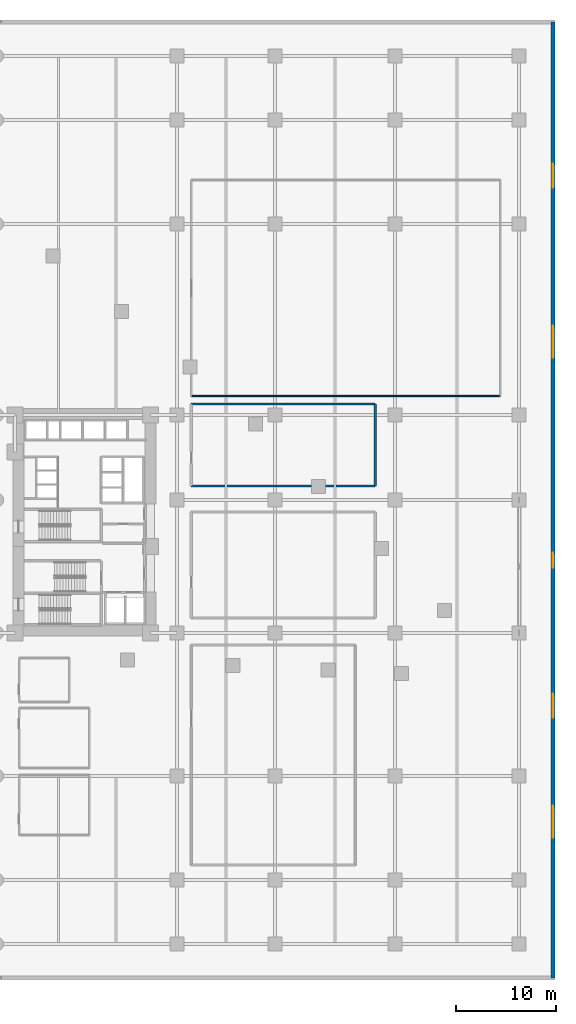
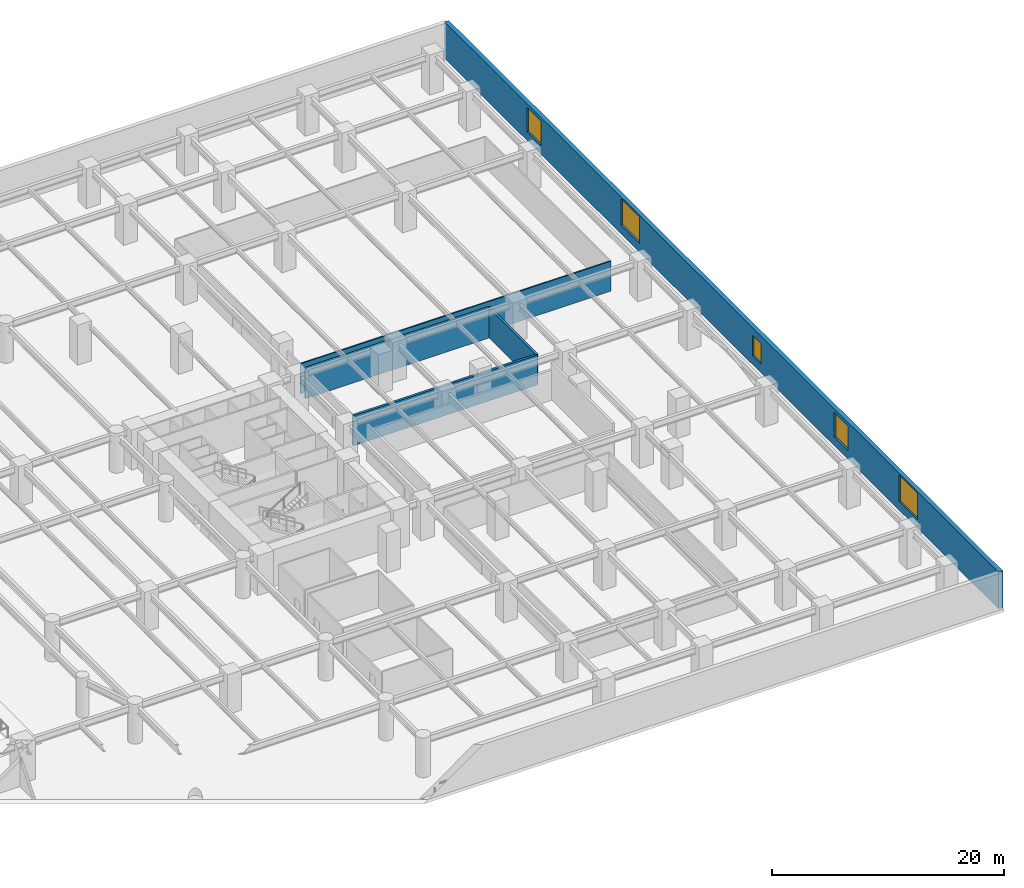
# One storey, part 9 of 22: 5 walls, 5 windows, 5 openings.
"""IFC4 building model written with IfcOpenShell, lengths in metres."""

import ifcopenshell
import ifcopenshell.guid

model = None  # the IFC model being written
_history = None  # IfcOwnerHistory: only IFC2X3 demands one
_inside = {}  # id of a spatial element -> (the spatial element, [elements in it])
_under = {}  # id of a project, library or spatial element -> (it, [spatial elements below it])
_declared = {}  # id of a project -> (the project, [libraries it declares])
_typed = {}  # id of a type object -> (the type object, [elements of that type])
_made_of = {}  # id of a material, layer set ... -> (it, [elements and type objects made of it])


def new_model(schema):
    """Start an empty IFC model of exactly this schema.

    Asked for "IFC4X3", IfcOpenShell would pick the latest addendum, in which some entities
    have other attributes; the version numbers below select the first issue.
    IFC2X3 requires an IfcOwnerHistory on every rooted entity: one is made here for all.
    """
    global model, _history
    if schema == "IFC4X3":
        model = ifcopenshell.file(schema_version=(4, 3, 0, 0))
    else:
        model = ifcopenshell.file(schema=schema)
    _inside.clear()
    _under.clear()
    _declared.clear()
    _typed.clear()
    _made_of.clear()
    _history = None
    if model.schema == "IFC2X3":
        org = make("IfcOrganization", Name="unknown")
        user = make(
            "IfcPersonAndOrganization",
            ThePerson=make("IfcPerson", FamilyName="unknown"),
            TheOrganization=org,
        )
        app = make(
            "IfcApplication",
            ApplicationDeveloper=org,
            Version="unknown",
            ApplicationFullName="unknown",
            ApplicationIdentifier="unknown",
        )
        _history = make(
            "IfcOwnerHistory",
            OwningUser=user,
            OwningApplication=app,
            ChangeAction="ADDED",
            CreationDate=0,
        )
    return model


def make(cls, **values):
    """One entity of the class cls with the attributes given. An attribute that is None is left unset."""
    return model.create_entity(
        cls, **{name: value for name, value in values.items() if value is not None}
    )


def rooted(cls, **values):
    """An entity with a GlobalId (a new one), such as an element, a storey or a relation."""
    return make(cls, GlobalId=ifcopenshell.guid.new(), OwnerHistory=_history, **values)


def si_unit(unit_type, name, prefix=None):
    """IfcSIUnit, for example si_unit("LENGTHUNIT", "METRE", prefix="MILLI")."""
    return make("IfcSIUnit", UnitType=unit_type, Prefix=prefix, Name=name)


def assignment(units):
    """IfcUnitAssignment: the units of a project."""
    return None if units is None else make("IfcUnitAssignment", Units=units)


def point(xyz):
    """IfcCartesianPoint."""
    return None if xyz is None else make("IfcCartesianPoint", Coordinates=xyz)


def direction(xyz):
    """IfcDirection."""
    return None if xyz is None else make("IfcDirection", DirectionRatios=xyz)


def frame(location, z_axis=None, x_axis=None):
    """IfcAxis2Placement3D, a coordinate frame: its origin and axes. An axis left out is left unset."""
    return make(
        "IfcAxis2Placement3D",
        Location=point(location),
        Axis=direction(z_axis),
        RefDirection=direction(x_axis),
    )


def frame_2d(location, x_axis=None):
    """IfcAxis2Placement2D, a coordinate frame in the plane: its origin and x axis."""
    return make(
        "IfcAxis2Placement2D", Location=point(location), RefDirection=direction(x_axis)
    )


def origin():
    """The frame at (0, 0, 0) with its axes left unset."""
    return frame((0.0, 0.0, 0.0))


def place(relative_to, where):
    """IfcLocalPlacement: puts the frame where relative to a parent placement (None: the world)."""
    return make(
        "IfcLocalPlacement", PlacementRelTo=relative_to, RelativePlacement=where
    )


def context(
    kind, dimensions, precision=None, world=None, true_north=None, identifier=None
):
    """IfcGeometricRepresentationContext, for example the 3D "Model" context."""
    return make(
        "IfcGeometricRepresentationContext",
        ContextIdentifier=identifier,
        ContextType=kind,
        CoordinateSpaceDimension=dimensions,
        Precision=precision,
        WorldCoordinateSystem=world,
        TrueNorth=true_north,
    )


def subcontext(parent, identifier, kind, view, scale=None):
    """IfcGeometricRepresentationSubContext, for example "Body" below "Model"."""
    return make(
        "IfcGeometricRepresentationSubContext",
        ContextIdentifier=identifier,
        ContextType=kind,
        ParentContext=parent,
        TargetScale=scale,
        TargetView=view,
    )


def project(units=None, contexts=None):
    """IfcProject with its units and contexts."""
    return rooted(
        "IfcProject",
        Name="project",
        RepresentationContexts=contexts,
        UnitsInContext=assignment(units),
    )


def spatial(cls, under=None, at=None, **own):
    """A site, building, storey or space (cls), placed at a placement, below another one or the project."""
    s = rooted(cls, ObjectPlacement=at, **own)
    if under is not None:
        _under.setdefault(under.id(), (under, []))[1].append(s)
    return s


def profile(cls, at=None, kind="AREA", **sizes):
    """A parametric profile (cls). Its sizes go by their IFC names, for example OverallWidth=200.0."""
    return make(cls, ProfileType=kind, Position=at, **sizes)


def rectangle(**sizes):
    """IfcRectangleProfileDef."""
    return profile("IfcRectangleProfileDef", **sizes)


def extrude(swept, where, along, depth):
    """IfcExtrudedAreaSolid: the profile swept, set in the frame where, extruded along a direction by depth."""
    return make(
        "IfcExtrudedAreaSolid",
        SweptArea=swept,
        Position=where,
        ExtrudedDirection=direction(along),
        Depth=depth,
    )


def shape(context_of_items, identifier, shape_type, items):
    """IfcShapeRepresentation: the items that make up one representation, for example the "Body"."""
    return make(
        "IfcShapeRepresentation",
        ContextOfItems=context_of_items,
        RepresentationIdentifier=identifier,
        RepresentationType=shape_type,
        Items=items,
    )


def material(Name=None, Category=None):
    """IfcMaterial."""
    return make("IfcMaterial", Name=Name, Category=Category)


def layer(
    of_material, thickness, ventilated=None, Name=None, Category=None, Priority=None
):
    """IfcMaterialLayer: one layer of a wall or slab, of a material (None: an air gap)."""
    return make(
        "IfcMaterialLayer",
        Material=of_material,
        LayerThickness=thickness,
        IsVentilated=ventilated,
        Name=Name,
        Category=Category,
        Priority=Priority,
    )


def layer_set(layers, Name=None):
    """IfcMaterialLayerSet."""
    return make("IfcMaterialLayerSet", MaterialLayers=layers, LayerSetName=Name)


def made_of(thing, what):
    """Note that an element or type object is made of a material, layer set ...; save() writes the relation."""
    if what is not None:
        _made_of.setdefault(what.id(), (what, []))[1].append(thing)
    return thing


def type_object(cls, material=None, **own):
    """A type object (cls), such as IfcWallType, which elements share."""
    return made_of(rooted(cls, **own), material)


def element(
    cls,
    number,
    at=None,
    inside=None,
    cuts=None,
    type_object=None,
    material=None,
    context=None,
    identifier="Body",
    shape_type=None,
    held_by="IfcProductDefinitionShape",
    body=None,
    shapes=None,
    **own,
):
    """One element of the class cls, such as IfcWall. Its Tag is "e" and its number.

    at: its placement. inside: the storey or other place that contains it. cuts: it is an
    opening in that element (IfcRelVoidsElement). A single representation is given by context,
    identifier, shape_type and body (its items); several are given by shapes. held_by: the class
    of the entity that holds the representations. save() writes the other relations.
    """
    e = rooted(cls, Tag="e%d" % number, ObjectPlacement=at, **own)
    if body is not None:
        shapes = [shape(context, identifier, shape_type, body)]
    if shapes is not None:
        e.Representation = make(held_by, Representations=shapes)
    if inside is not None:
        _inside.setdefault(inside.id(), (inside, []))[1].append(e)
    if cuts is not None:
        rooted(
            "IfcRelVoidsElement", RelatingBuildingElement=cuts, RelatedOpeningElement=e
        )
    if type_object is not None:
        _typed.setdefault(type_object.id(), (type_object, []))[1].append(e)
    return made_of(e, material)


def fill(opening, filler):
    """IfcRelFillsElement: the door or window that sits in an opening."""
    return rooted(
        "IfcRelFillsElement",
        RelatingOpeningElement=opening,
        RelatedBuildingElement=filler,
    )


def aggregate(whole, parts):
    """IfcRelAggregates: a whole, such as a stair, and the parts it consists of."""
    return rooted("IfcRelAggregates", RelatingObject=whole, RelatedObjects=parts)


def save(model, path):
    """Write the relations noted so far, then the file.

    IfcRelAggregates (storeys below a building ...), IfcRelContainedInSpatialStructure (elements
    in a storey), IfcRelDefinesByType, IfcRelAssociatesMaterial and IfcRelDeclares: one each for
    every whole, place, type object, material and project.
    """
    for whole, parts in _under.values():
        aggregate(whole, parts)
    for where, things in _inside.values():
        rooted(
            "IfcRelContainedInSpatialStructure",
            RelatedElements=things,
            RelatingStructure=where,
        )
    for kind, things in _typed.values():
        rooted("IfcRelDefinesByType", RelatedObjects=things, RelatingType=kind)
    for what, things in _made_of.values():
        rooted("IfcRelAssociatesMaterial", RelatedObjects=things, RelatingMaterial=what)
    for by, libraries in _declared.values():
        rooted("IfcRelDeclares", RelatingContext=by, RelatedDefinitions=libraries)
    model.write(path)


model = new_model("IFC4")

# Units and contexts
model_context = context("Model", 3, precision=1e-05, world=origin(), true_north=direction((0.0, 1.0)))
body_context = subcontext(model_context, "Body", "Model", "MODEL_VIEW")
ifc_project = project(units=[si_unit("LENGTHUNIT", "METRE"), si_unit("AREAUNIT", "SQUARE_METRE"), si_unit("VOLUMEUNIT", "CUBIC_METRE"), si_unit("PLANEANGLEUNIT", "RADIAN"), si_unit("MASSUNIT", "GRAM", prefix="KILO")], contexts=[model_context])

# Site, building, storey
site_placement = place(None, origin())
site = spatial("IfcSite", under=ifc_project, at=site_placement, CompositionType="ELEMENT")
building_placement = place(site_placement, origin())
building = spatial("IfcBuilding", under=site, at=building_placement, Name="Narakoshi Arena Tower", CompositionType="ELEMENT")
storey_placement = place(building_placement, frame((0.0, 0.0, 13.199951171875)))
storey = spatial("IfcBuildingStorey", under=building, at=storey_placement, Name="L03", CompositionType="ELEMENT", Elevation=13.199951171875)

# Walls
ifc_material_1 = material(Name="Concrete C40/50", Category="concrete")
ifc_layer_1 = layer(ifc_material_1, 0.219970703125)
ifc_layer_set_1 = layer_set([ifc_layer_1], Name="Concrete C40/50")
wall_type_1 = type_object("IfcWallType", Name="WL-COMP-220", PredefinedType="SOLIDWALL", material=ifc_layer_set_1)
wall_1_placement = place(storey_placement, frame((89.60009765625, 49.39990234375, 0.0), z_axis=(0.0, 0.0, 1.0), x_axis=(1.0, 0.0, 0.0)))
element("IfcWall", 1, at=wall_1_placement, inside=storey, type_object=wall_type_1, Name="L03 Radio Commentary Studio 2 Wall S", PredefinedType="SOLIDWALL", context=body_context, shape_type="SweptSolid", body=[
    extrude(rectangle(XDim=18.39990234375, YDim=0.219970703125, at=frame_2d((9.199951171875, 0.0))), origin(), (0.0, 0.0, 1.0), 3.1650390625),
])
wall_2_placement = place(storey_placement, frame((108.0, 49.39990234375, 0.0), z_axis=(0.0, 0.0, 1.0), x_axis=(0.0, 1.0, 0.0)))
element("IfcWall", 2, at=wall_2_placement, inside=storey, type_object=wall_type_1, Name="L03 Radio Commentary Studio 2 Wall E", PredefinedType="SOLIDWALL", context=body_context, shape_type="SweptSolid", body=[
    extrude(rectangle(XDim=8.2001953125, YDim=0.219970703125, at=frame_2d((4.10009765625, 0.0))), origin(), (0.0, 0.0, 1.0), 3.1650390625),
])
wall_3_placement = place(storey_placement, frame((108.0, 57.60009765625, 0.0), z_axis=(0.0, 0.0, 1.0), x_axis=(-1.0, 0.0, 0.0)))
element("IfcWall", 3, at=wall_3_placement, inside=storey, type_object=wall_type_1, Name="L03 Radio Commentary Studio 2 Wall N", PredefinedType="SOLIDWALL", context=body_context, shape_type="SweptSolid", body=[
    extrude(rectangle(XDim=18.39990234375, YDim=0.219970703125, at=frame_2d((9.199951171875, 0.0))), origin(), (0.0, 0.0, 1.0), 3.1650390625),
])
ifc_material_2 = material(Name="Gypsum plasterboard fire-rated partition")
ifc_layer_2 = layer(ifc_material_2, 0.125)
ifc_layer_set_2 = layer_set([ifc_layer_2], Name="Gypsum plasterboard fire-rated partition")
wall_type_2 = type_object("IfcWallType", Name="WL-PART-125", PredefinedType="PARTITIONING", material=ifc_layer_set_2)
wall_4_placement = place(storey_placement, frame((89.60009765625, 58.39990234375, 0.0), z_axis=(0.0, 0.0, 1.0), x_axis=(1.0, 0.0, 0.0)))
element("IfcWall", 4, at=wall_4_placement, inside=storey, type_object=wall_type_2, Name="L03 Media Editing Workplace Wall S", PredefinedType="PARTITIONING", context=body_context, shape_type="SweptSolid", body=[
    extrude(rectangle(XDim=30.89990234375, YDim=0.125, at=frame_2d((15.449951171875, 0.0))), origin(), (0.0, 0.0, 1.0), 3.1650390625),
])

# Wall, openings, windows
ifc_material_3 = material(Name="Precast concrete C45/55", Category="concrete")
ifc_layer_3 = layer(ifc_material_3, 0.419921875)
ifc_layer_set_3 = layer_set([ifc_layer_3], Name="Precast concrete C45/55")
wall_type_3 = type_object("IfcWallType", Name="WL-POD-420", PredefinedType="SOLIDWALL", material=ifc_layer_set_3)
wall_5_placement = place(storey_placement, frame((125.7900390625, 0.2099609375, 0.0), z_axis=(0.0, 0.0, 1.0), x_axis=(0.0, 1.0, 0.0)))
wall_5 = element("IfcWall", 5, at=wall_5_placement, inside=storey, type_object=wall_type_3, Name="L03 Podium Precast Facade Wall E", PredefinedType="SOLIDWALL", context=body_context, shape_type="SweptSolid", body=[
    extrude(rectangle(XDim=95.580078125, YDim=0.419921875, at=frame_2d((47.7900390625, 0.0))), origin(), (0.0, 0.0, 1.0), 3.880126953125),
])
opening_1_placement = place(wall_5_placement, frame((14.0, 0.0, 0.89990234375)))
opening_1 = element("IfcOpeningElement", 6, at=opening_1_placement, cuts=wall_5, Name="Opening WN-08", PredefinedType="OPENING", context=body_context, shape_type="SweptSolid", body=[
    extrude(rectangle(XDim=3.199951171875, YDim=2.800048828125, at=frame_2d((1.60009765625, 1.39990234375))), frame((0.0, 0.219970703125, 0.0), z_axis=(0.0, -1.0, 0.0), x_axis=(1.0, 0.0, 0.0)), (0.0, 0.0, 1.0), 0.43994140625),
])
opening_2_placement = place(wall_5_placement, frame((26.0, 0.0, 0.89990234375)))
opening_2 = element("IfcOpeningElement", 7, at=opening_2_placement, cuts=wall_5, Name="Opening WN-09", PredefinedType="OPENING", context=body_context, shape_type="SweptSolid", body=[
    extrude(rectangle(XDim=2.39990234375, YDim=2.60009765625, at=frame_2d((1.199951171875, 1.300048828125))), frame((0.0, 0.219970703125, 0.0), z_axis=(0.0, -1.0, 0.0), x_axis=(1.0, 0.0, 0.0)), (0.0, 0.0, 1.0), 0.43994140625),
])
opening_3_placement = place(wall_5_placement, frame((41.0, 0.0, 0.89990234375)))
opening_3 = element("IfcOpeningElement", 8, at=opening_3_placement, cuts=wall_5, Name="Opening WN-10", PredefinedType="OPENING", context=body_context, shape_type="SweptSolid", body=[
    extrude(rectangle(XDim=1.5, YDim=2.199951171875, at=frame_2d((0.75, 1.10009765625))), frame((0.0, 0.219970703125, 0.0), z_axis=(0.0, -1.0, 0.0), x_axis=(1.0, 0.0, 0.0)), (0.0, 0.0, 1.0), 0.43994140625),
])
opening_4_placement = place(wall_5_placement, frame((62.0, 0.0, 0.89990234375)))
opening_4 = element("IfcOpeningElement", 9, at=opening_4_placement, cuts=wall_5, Name="Opening WN-08", PredefinedType="OPENING", context=body_context, shape_type="SweptSolid", body=[
    extrude(rectangle(XDim=3.199951171875, YDim=2.800048828125, at=frame_2d((1.60009765625, 1.39990234375))), frame((0.0, 0.219970703125, 0.0), z_axis=(0.0, -1.0, 0.0), x_axis=(1.0, 0.0, 0.0)), (0.0, 0.0, 1.0), 0.43994140625),
])
opening_5_placement = place(wall_5_placement, frame((79.0, 0.0, 0.89990234375)))
opening_5 = element("IfcOpeningElement", 10, at=opening_5_placement, cuts=wall_5, Name="Opening WN-09", PredefinedType="OPENING", context=body_context, shape_type="SweptSolid", body=[
    extrude(rectangle(XDim=2.39990234375, YDim=2.60009765625, at=frame_2d((1.199951171875, 1.300048828125))), frame((0.0, 0.219970703125, 0.0), z_axis=(0.0, -1.0, 0.0), x_axis=(1.0, 0.0, 0.0)), (0.0, 0.0, 1.0), 0.43994140625),
])
ifc_material_4 = material(Name="Bronze-tinted low-E laminated glass", Category="glass")
window_type_1 = type_object("IfcWindowType", Name="WIN-POD-15x22", PartitioningType="SINGLE_PANEL", PredefinedType="WINDOW", material=ifc_material_4)
window_1_placement = place(opening_3_placement, origin())
window_1 = element("IfcWindow", 11, at=window_1_placement, inside=storey, type_object=window_type_1, Name="L03 Podium East Window 03", OverallHeight=2.199951171875, OverallWidth=1.5, PartitioningType="SINGLE_PANEL", PredefinedType="WINDOW", context=body_context, shape_type="SweptSolid", body=[
    extrude(rectangle(XDim=1.5, YDim=2.199951171875, at=frame_2d((0.75, 1.10009765625))), frame((0.0, 0.030029296875, 0.0), z_axis=(0.0, -1.0, 0.0), x_axis=(1.0, 0.0, 0.0)), (0.0, 0.0, 1.0), 0.06005859375),
])
fill(opening_3, window_1)
window_type_2 = type_object("IfcWindowType", Name="WIN-POD-24x26", PartitioningType="SINGLE_PANEL", PredefinedType="WINDOW", material=ifc_material_4)
window_2_placement = place(opening_2_placement, origin())
window_2 = element("IfcWindow", 12, at=window_2_placement, inside=storey, type_object=window_type_2, Name="L03 Podium East Window 02", OverallHeight=2.60009765625, OverallWidth=2.39990234375, PartitioningType="SINGLE_PANEL", PredefinedType="WINDOW", context=body_context, shape_type="SweptSolid", body=[
    extrude(rectangle(XDim=2.39990234375, YDim=2.60009765625, at=frame_2d((1.199951171875, 1.300048828125))), frame((0.0, 0.030029296875, 0.0), z_axis=(0.0, -1.0, 0.0), x_axis=(1.0, 0.0, 0.0)), (0.0, 0.0, 1.0), 0.06005859375),
])
fill(opening_2, window_2)
window_3_placement = place(opening_5_placement, origin())
window_3 = element("IfcWindow", 13, at=window_3_placement, inside=storey, type_object=window_type_2, Name="L03 Podium East Window 05", OverallHeight=2.60009765625, OverallWidth=2.39990234375, PartitioningType="SINGLE_PANEL", PredefinedType="WINDOW", context=body_context, shape_type="SweptSolid", body=[
    extrude(rectangle(XDim=2.39990234375, YDim=2.60009765625, at=frame_2d((1.199951171875, 1.300048828125))), frame((0.0, 0.030029296875, 0.0), z_axis=(0.0, -1.0, 0.0), x_axis=(1.0, 0.0, 0.0)), (0.0, 0.0, 1.0), 0.06005859375),
])
fill(opening_5, window_3)
window_type_3 = type_object("IfcWindowType", Name="WIN-POD-32x28", PartitioningType="SINGLE_PANEL", PredefinedType="WINDOW", material=ifc_material_4)
window_4_placement = place(opening_1_placement, origin())
window_4 = element("IfcWindow", 14, at=window_4_placement, inside=storey, type_object=window_type_3, Name="L03 Podium East Window 01", OverallHeight=2.800048828125, OverallWidth=3.199951171875, PartitioningType="SINGLE_PANEL", PredefinedType="WINDOW", context=body_context, shape_type="SweptSolid", body=[
    extrude(rectangle(XDim=3.199951171875, YDim=2.800048828125, at=frame_2d((1.60009765625, 1.39990234375))), frame((0.0, 0.030029296875, 0.0), z_axis=(0.0, -1.0, 0.0), x_axis=(1.0, 0.0, 0.0)), (0.0, 0.0, 1.0), 0.06005859375),
])
fill(opening_1, window_4)
window_5_placement = place(opening_4_placement, origin())
window_5 = element("IfcWindow", 15, at=window_5_placement, inside=storey, type_object=window_type_3, Name="L03 Podium East Window 04", OverallHeight=2.800048828125, OverallWidth=3.199951171875, PartitioningType="SINGLE_PANEL", PredefinedType="WINDOW", context=body_context, shape_type="SweptSolid", body=[
    extrude(rectangle(XDim=3.199951171875, YDim=2.800048828125, at=frame_2d((1.60009765625, 1.39990234375))), frame((0.0, 0.030029296875, 0.0), z_axis=(0.0, -1.0, 0.0), x_axis=(1.0, 0.0, 0.0)), (0.0, 0.0, 1.0), 0.06005859375),
])
fill(opening_4, window_5)

save(model, "model.ifc")
